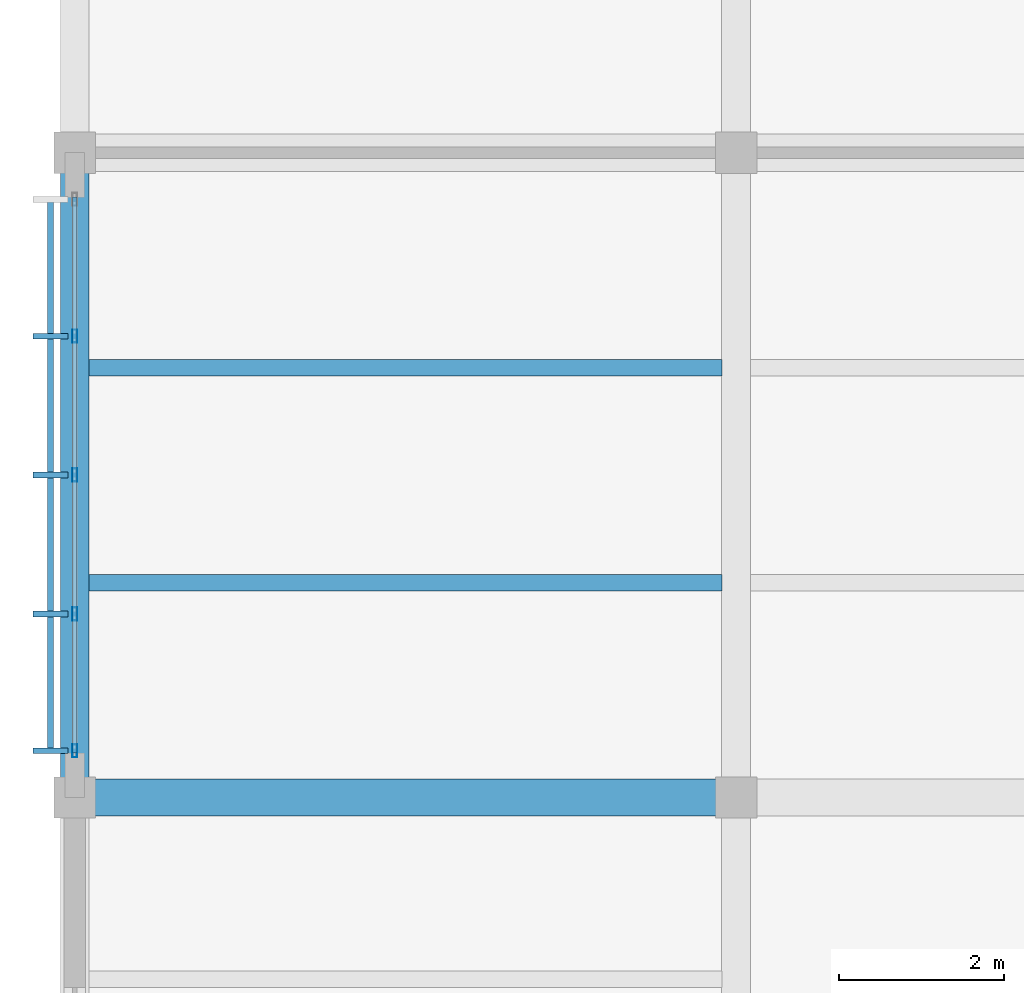
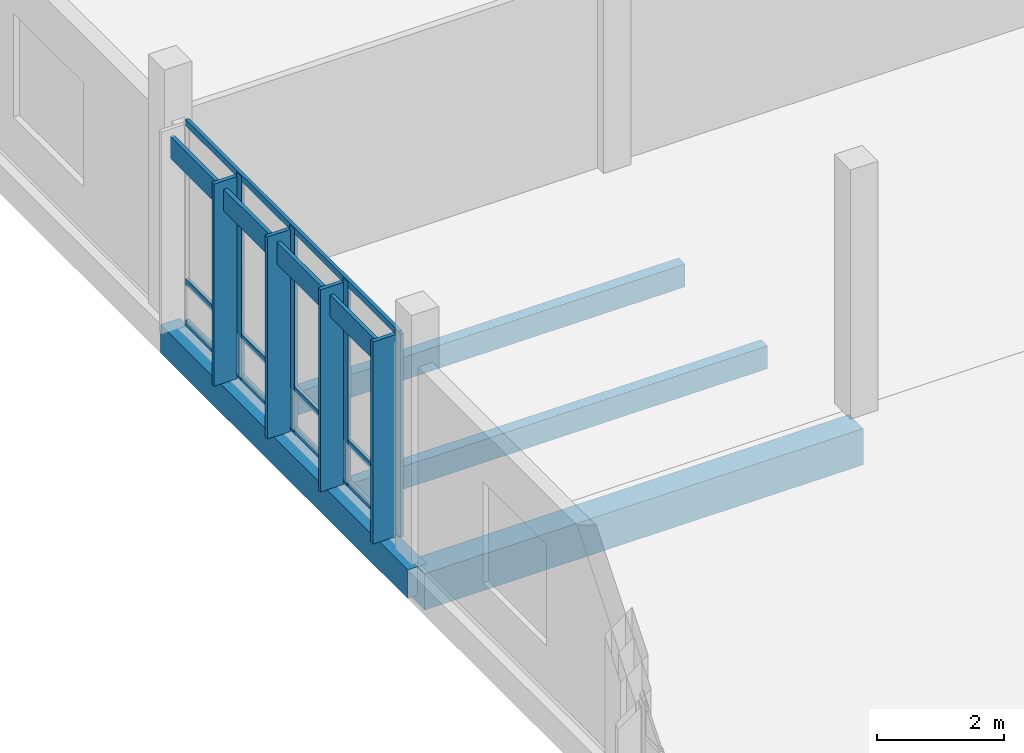
# One storey, part 36 of 177: 12 members, 4 beams, 1 element without a shape of its own.
"""IFC4 building model written with IfcOpenShell, lengths in metres."""

from ifc_helpers import new_model, si_unit, direction, frame, origin, origin_2d, place, context, subcontext, project, spatial, rectangle, hollow_rectangle, extrude, material, material_profile, profile_set, type_object, element, aggregate, save


model = new_model("IFC4")

# Units and contexts
model_context = context("Model", 3, precision=1e-05, world=origin(), true_north=direction((0.0, 1.0)))
body_context = subcontext(model_context, "Body", "Model", "MODEL_VIEW")
ifc_project = project(units=[si_unit("LENGTHUNIT", "METRE"), si_unit("AREAUNIT", "SQUARE_METRE"), si_unit("VOLUMEUNIT", "CUBIC_METRE"), si_unit("PLANEANGLEUNIT", "RADIAN"), si_unit("MASSUNIT", "GRAM", prefix="KILO")], contexts=[model_context])

# Site, building, storey
site_placement = place(None, origin())
site = spatial("IfcSite", under=ifc_project, at=site_placement, CompositionType="ELEMENT")
building_placement = place(site_placement, origin())
building = spatial("IfcBuilding", under=site, at=building_placement, Name="Chiffa Square Polytechnic", CompositionType="ELEMENT")
storey_placement = place(building_placement, frame((0.0, 0.0, 4.800048828125)))
storey = spatial("IfcBuildingStorey", under=building, at=storey_placement, Name="L01", CompositionType="ELEMENT", Elevation=4.800048828125)

# Beams
ifc_material_1 = material(Name="Concrete C35/45", Category="concrete")
ifc_material_profile_1 = material_profile(ifc_material_1, rectangle(XDim=0.35009765625, YDim=0.550048828125, at=origin_2d()), Name="RC 350x550")
ifc_profile_set_1 = profile_set([ifc_material_profile_1], Name="Concrete C35/45")
beam_type_1 = type_object("IfcBeamType", Name="BM-RC-350X550", PredefinedType="BEAM", material=ifc_profile_set_1)
beam_1_placement = place(storey_placement, frame((0.0, 57.60009765625, -0.554931640625), z_axis=(0.0, 1.0, 0.0), x_axis=(-1.0, 0.0, 0.0)))
element("IfcBeam", 1, at=beam_1_placement, inside=storey, type_object=beam_type_1, Name="Primary floor girder BM-V6-L01-Y-0000-0576", PredefinedType="BEAM", context=body_context, shape_type="SweptSolid", body=[
    extrude(rectangle(XDim=0.35009765625, YDim=0.550048828125, at=origin_2d()), origin(), (0.0, 0.0, 1.0), 7.7998046875),
])
ifc_material_profile_2 = material_profile(ifc_material_1, rectangle(XDim=0.449951171875, YDim=0.699951171875, at=origin_2d()), Name="RC 450x700")
ifc_profile_set_2 = profile_set([ifc_material_profile_2], Name="Concrete C35/45")
beam_type_2 = type_object("IfcBeamType", Name="BM-RC-450X700", PredefinedType="BEAM", material=ifc_profile_set_2)
beam_2_placement = place(storey_placement, frame((0.0, 57.60009765625, -0.630126953125), z_axis=(1.0, 0.0, 0.0), x_axis=(0.0, 1.0, 0.0)))
element("IfcBeam", 2, at=beam_2_placement, inside=storey, type_object=beam_type_2, Name="Primary floor girder BM-V6-L01-X-0000-0576", PredefinedType="BEAM", context=body_context, shape_type="SweptSolid", body=[
    extrude(rectangle(XDim=0.449951171875, YDim=0.699951171875, at=origin_2d()), origin(), (0.0, 0.0, 1.0), 8.0),
])

# Curtain wall, members
ifc_material_2 = material(Name="Aluminium EN AW-6060 T66 and glulam shading", Category="wood")
curtain_wall_type = type_object("IfcCurtainWallType", Name="CW-VERT-360X380", PredefinedType="USERDEFINED", material=ifc_material_2)
curtain_wall_placement = place(storey_placement, origin())
curtain_wall = element("IfcCurtainWall", 3, at=curtain_wall_placement, inside=storey, type_object=curtain_wall_type, Name="Curtain wall CW-V6-L01-261", ObjectType="CURTAIN WALL", PredefinedType="USERDEFINED")
ifc_material_3 = material(Name="Aluminium EN AW-6060 T66", Category="aluminium")
ifc_material_profile_3 = material_profile(ifc_material_3, hollow_rectangle(XDim=0.06005859375, YDim=0.159912109375, WallThickness=0.00390625, at=origin_2d()), Name="ALU 60x160x4")
ifc_profile_set_3 = profile_set([ifc_material_profile_3], Name="Aluminium EN AW-6060 T66")
member_type_1 = type_object("IfcMemberType", Name="CWM-ALU-65X150", PredefinedType="MULLION", material=ifc_profile_set_3)
member_1_placement = place(storey_placement, frame((0.0, 63.179931640625, 0.0), z_axis=(0.0, 0.0, 1.0), x_axis=(1.0, 0.0, 0.0)))
member_1 = element("IfcMember", 4, at=member_1_placement, type_object=member_type_1, Name="Curtain wall mullion CW-V6-L01-261-M01", PredefinedType="MULLION", context=body_context, shape_type="SweptSolid", body=[
    extrude(hollow_rectangle(XDim=0.06005859375, YDim=0.159912109375, WallThickness=0.00390625, at=origin_2d()), origin(), (0.0, 0.0, 1.0), 3.9150390625),
])
member_2_placement = place(storey_placement, frame((0.0, 61.5, 0.0), z_axis=(0.0, 0.0, 1.0), x_axis=(1.0, 0.0, 0.0)))
member_2 = element("IfcMember", 5, at=member_2_placement, type_object=member_type_1, Name="Curtain wall mullion CW-V6-L01-261-M02", PredefinedType="MULLION", context=body_context, shape_type="SweptSolid", body=[
    extrude(hollow_rectangle(XDim=0.06005859375, YDim=0.159912109375, WallThickness=0.00390625, at=origin_2d()), origin(), (0.0, 0.0, 1.0), 3.9150390625),
])
member_3_placement = place(storey_placement, frame((0.0, 59.820068359375, 0.0), z_axis=(0.0, 0.0, 1.0), x_axis=(1.0, 0.0, 0.0)))
member_3 = element("IfcMember", 6, at=member_3_placement, type_object=member_type_1, Name="Curtain wall mullion CW-V6-L01-261-M03", PredefinedType="MULLION", context=body_context, shape_type="SweptSolid", body=[
    extrude(hollow_rectangle(XDim=0.06005859375, YDim=0.159912109375, WallThickness=0.00390625, at=origin_2d()), origin(), (0.0, 0.0, 1.0), 3.9150390625),
])
member_4_placement = place(storey_placement, frame((0.0, 58.1650390625, 0.0), z_axis=(0.0, 0.0, 1.0), x_axis=(1.0, 0.0, 0.0)))
member_4 = element("IfcMember", 7, at=member_4_placement, type_object=member_type_1, Name="Curtain wall mullion CW-V6-L01-261-M04", PredefinedType="MULLION", context=body_context, shape_type="SweptSolid", body=[
    extrude(hollow_rectangle(XDim=0.06005859375, YDim=0.159912109375, WallThickness=0.00390625, at=origin_2d()), origin(), (0.0, 0.0, 1.0), 3.9150390625),
])
ifc_material_4 = material(Name="Glulam GL28h", Category="wood")
ifc_material_profile_4 = material_profile(ifc_material_4, rectangle(XDim=0.070068359375, YDim=0.419921875, at=origin_2d()), Name="GL28h 70x420")
ifc_profile_set_4 = profile_set([ifc_material_profile_4], Name="Glulam GL28h")
member_type_2 = type_object("IfcMemberType", Name="CWM-GL-70X420", PredefinedType="MULLION", material=ifc_profile_set_4)
member_5_placement = place(storey_placement, frame((-0.2919921875, 63.179931640625, 0.010009765625), z_axis=(0.0, 0.0, 1.0), x_axis=(0.0, -1.0, 0.0)))
member_5 = element("IfcMember", 8, at=member_5_placement, type_object=member_type_2, Name="Exterior glulam solar fin CW-V6-L01-261-FN01", PredefinedType="MULLION", context=body_context, shape_type="SweptSolid", body=[
    extrude(rectangle(XDim=0.070068359375, YDim=0.419921875, at=origin_2d()), origin(), (0.0, 0.0, 1.0), 3.89501953125),
])
member_6_placement = place(storey_placement, frame((-0.2919921875, 61.5, 0.010009765625), z_axis=(0.0, 0.0, 1.0), x_axis=(0.0, -1.0, 0.0)))
member_6 = element("IfcMember", 9, at=member_6_placement, type_object=member_type_2, Name="Exterior glulam solar fin CW-V6-L01-261-FN02", PredefinedType="MULLION", context=body_context, shape_type="SweptSolid", body=[
    extrude(rectangle(XDim=0.070068359375, YDim=0.419921875, at=origin_2d()), origin(), (0.0, 0.0, 1.0), 3.89501953125),
])
member_7_placement = place(storey_placement, frame((-0.2919921875, 59.820068359375, 0.010009765625), z_axis=(0.0, 0.0, 1.0), x_axis=(0.0, -1.0, 0.0)))
member_7 = element("IfcMember", 10, at=member_7_placement, type_object=member_type_2, Name="Exterior glulam solar fin CW-V6-L01-261-FN03", PredefinedType="MULLION", context=body_context, shape_type="SweptSolid", body=[
    extrude(rectangle(XDim=0.070068359375, YDim=0.419921875, at=origin_2d()), origin(), (0.0, 0.0, 1.0), 3.89501953125),
])
member_8_placement = place(storey_placement, frame((-0.2919921875, 58.1650390625, 0.010009765625), z_axis=(0.0, 0.0, 1.0), x_axis=(0.0, -1.0, 0.0)))
member_8 = element("IfcMember", 11, at=member_8_placement, type_object=member_type_2, Name="Exterior glulam solar fin CW-V6-L01-261-FN04", PredefinedType="MULLION", context=body_context, shape_type="SweptSolid", body=[
    extrude(rectangle(XDim=0.070068359375, YDim=0.419921875, at=origin_2d()), origin(), (0.0, 0.0, 1.0), 3.89501953125),
])
ifc_material_profile_5 = material_profile(ifc_material_3, hollow_rectangle(XDim=0.06005859375, YDim=0.1201171875, WallThickness=0.00390625, at=origin_2d()), Name="ALU 60x120x4")
ifc_profile_set_5 = profile_set([ifc_material_profile_5], Name="Aluminium EN AW-6060 T66")
member_type_3 = type_object("IfcMemberType", Name="CWT-ALU-65X120", PredefinedType="USERDEFINED", material=ifc_profile_set_5)
member_9_placement = place(storey_placement, frame((0.0, 64.862060546875, 0.030029296875), z_axis=(0.0, -1.0, 0.0), x_axis=(1.0, 0.0, 0.0)))
member_9 = element("IfcMember", 12, at=member_9_placement, type_object=member_type_3, Name="Curtain wall transom CW-V6-L01-261-T01", ObjectType="TRANSOM", PredefinedType="USERDEFINED", context=body_context, shape_type="SweptSolid", body=[
    extrude(hollow_rectangle(XDim=0.06005859375, YDim=0.1201171875, WallThickness=0.00390625, at=origin_2d()), origin(), (0.0, 0.0, 1.0), 6.72412109375),
])
member_10_placement = place(storey_placement, frame((0.0, 64.862060546875, 0.820068359375), z_axis=(0.0, -1.0, 0.0), x_axis=(1.0, 0.0, 0.0)))
member_10 = element("IfcMember", 13, at=member_10_placement, type_object=member_type_3, Name="Curtain wall transom CW-V6-L01-261-T02", ObjectType="TRANSOM", PredefinedType="USERDEFINED", context=body_context, shape_type="SweptSolid", body=[
    extrude(hollow_rectangle(XDim=0.06005859375, YDim=0.1201171875, WallThickness=0.00390625, at=origin_2d()), origin(), (0.0, 0.0, 1.0), 6.72412109375),
])
member_11_placement = place(storey_placement, frame((0.0, 64.862060546875, 3.885009765625), z_axis=(0.0, -1.0, 0.0), x_axis=(1.0, 0.0, 0.0)))
member_11 = element("IfcMember", 14, at=member_11_placement, type_object=member_type_3, Name="Curtain wall transom CW-V6-L01-261-T03", ObjectType="TRANSOM", PredefinedType="USERDEFINED", context=body_context, shape_type="SweptSolid", body=[
    extrude(hollow_rectangle(XDim=0.06005859375, YDim=0.1201171875, WallThickness=0.00390625, at=origin_2d()), origin(), (0.0, 0.0, 1.0), 6.72412109375),
])
ifc_material_profile_6 = material_profile(ifc_material_4, rectangle(XDim=0.070068359375, YDim=0.419921875, at=origin_2d()), Name="GL28h 70x420")
ifc_profile_set_6 = profile_set([ifc_material_profile_6], Name="Glulam GL28h")
member_type_4 = type_object("IfcMemberType", Name="CWT-GL-70X420", PredefinedType="USERDEFINED", material=ifc_profile_set_6)
member_12_placement = place(storey_placement, frame((-0.2919921875, 64.8349609375, 3.534912109375), z_axis=(0.0, -1.0, 0.0), x_axis=(1.0, 0.0, 0.0)))
member_12 = element("IfcMember", 15, at=member_12_placement, type_object=member_type_4, Name="Exterior glulam brise-soleil CW-V6-L01-261-BS01", ObjectType="TRANSOM", PredefinedType="USERDEFINED", context=body_context, shape_type="SweptSolid", body=[
    extrude(rectangle(XDim=0.070068359375, YDim=0.419921875, at=origin_2d()), origin(), (0.0, 0.0, 1.0), 6.669921875),
])
aggregate(curtain_wall, [member_1, member_5, member_2, member_6, member_3, member_7, member_4, member_8, member_9, member_10, member_11, member_12])

# Beams
ifc_material_profile_7 = material_profile(ifc_material_4, rectangle(XDim=0.199951171875, YDim=0.43994140625, at=origin_2d()), Name="GL28h 200x440")
ifc_profile_set_7 = profile_set([ifc_material_profile_7], Name="Glulam GL28h")
beam_type_3 = type_object("IfcBeamType", Name="JST-GL-200X440", PredefinedType="JOIST", material=ifc_profile_set_7)
for number, where, z_axis, x_axis, name in (
    (16, (0.173095703125, 60.199951171875, -0.5), (1.0, 0.0, 0.0), (0.0, 1.0, 0.0), "Secondary floor joist JST-V6-L01-0000-0602"),
    (17, (0.173095703125, 62.800048828125, -0.5), (1.0, 0.0, 0.0), (0.0, 1.0, 0.0), "Secondary floor joist JST-V6-L01-0000-0628"),
):
    element("IfcBeam", number, at=place(storey_placement, frame(where, z_axis=z_axis, x_axis=x_axis)), inside=storey, type_object=beam_type_3, Name=name, PredefinedType="JOIST", context=body_context, shape_type="SweptSolid", body=[
        extrude(rectangle(XDim=0.199951171875, YDim=0.43994140625, at=origin_2d()), origin(), (0.0, 0.0, 1.0), 7.65380859375),
    ])

save(model, "model.ifc")
